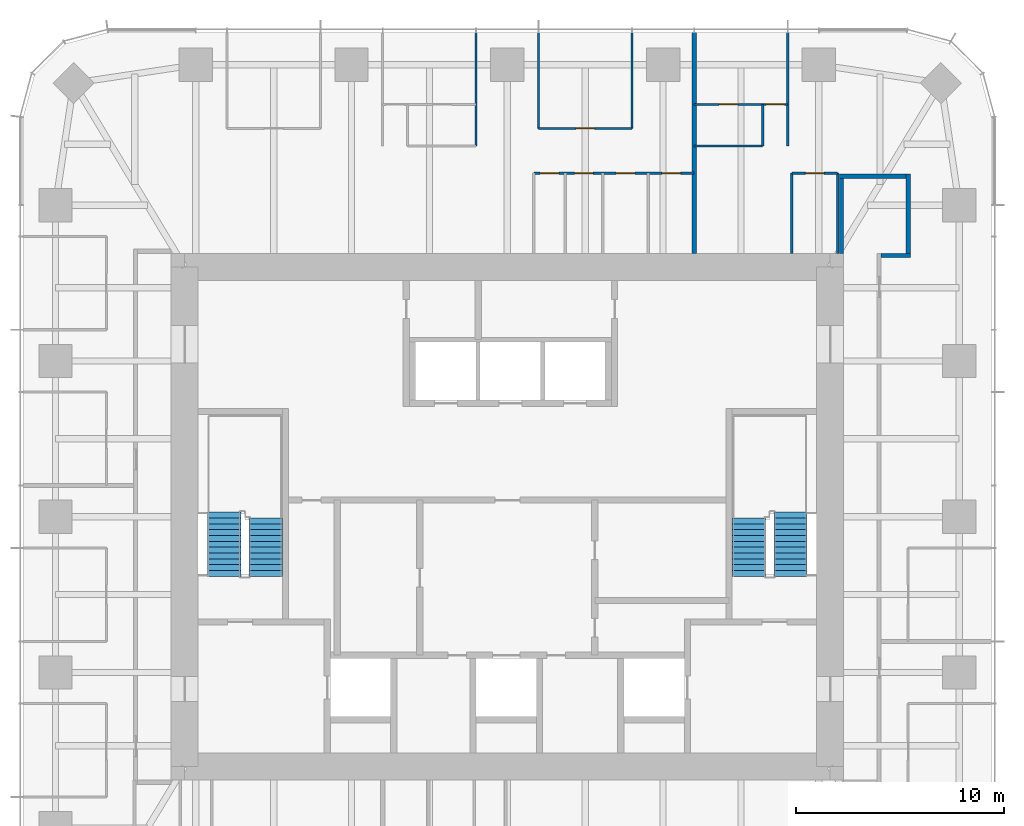
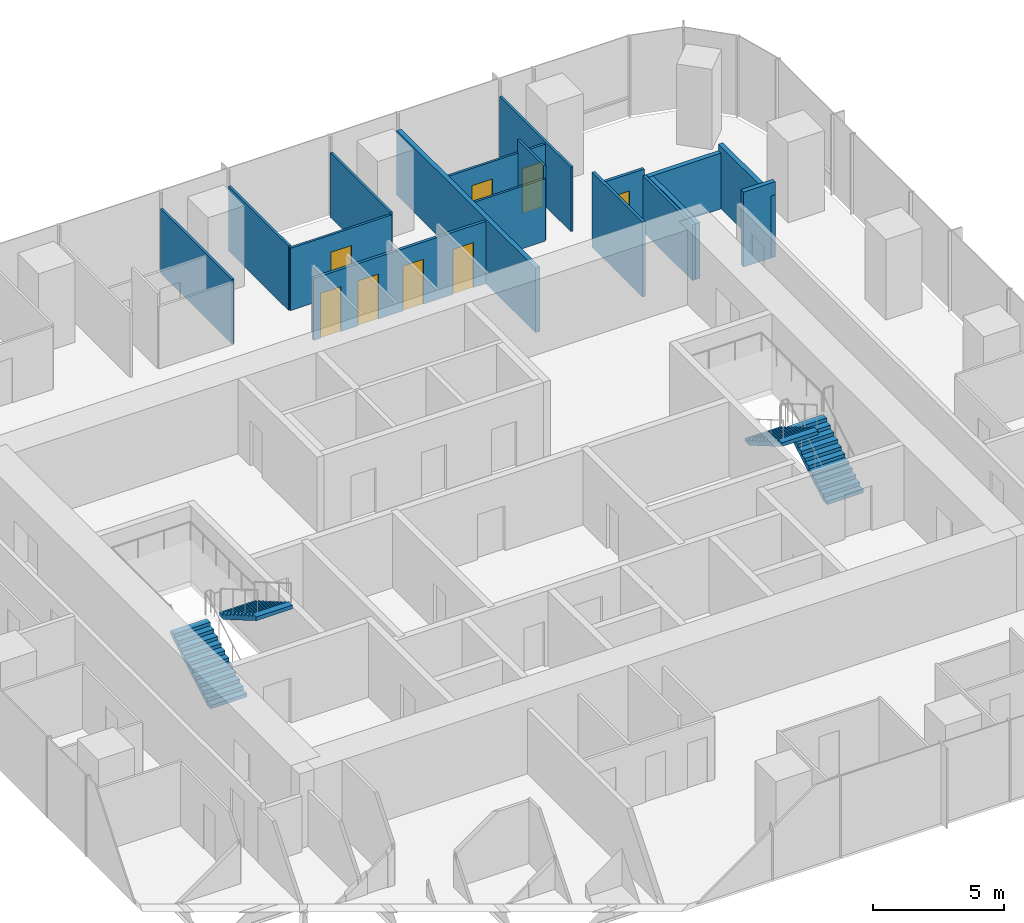
# One storey, part 11 of 12: 17 walls, 8 doors, 4 stair flights, 8 openings, 2 elements without a shape of their own.
"""IFC4 building model written with IfcOpenShell, lengths in metres."""

import ifcopenshell
import ifcopenshell.guid

model = None  # the IFC model being written
_history = None  # IfcOwnerHistory: only IFC2X3 demands one
_inside = {}  # id of a spatial element -> (the spatial element, [elements in it])
_under = {}  # id of a project, library or spatial element -> (it, [spatial elements below it])
_declared = {}  # id of a project -> (the project, [libraries it declares])
_typed = {}  # id of a type object -> (the type object, [elements of that type])
_made_of = {}  # id of a material, layer set ... -> (it, [elements and type objects made of it])


def new_model(schema):
    """Start an empty IFC model of exactly this schema.

    Asked for "IFC4X3", IfcOpenShell would pick the latest addendum, in which some entities
    have other attributes; the version numbers below select the first issue.
    IFC2X3 requires an IfcOwnerHistory on every rooted entity: one is made here for all.
    """
    global model, _history
    if schema == "IFC4X3":
        model = ifcopenshell.file(schema_version=(4, 3, 0, 0))
    else:
        model = ifcopenshell.file(schema=schema)
    _inside.clear()
    _under.clear()
    _declared.clear()
    _typed.clear()
    _made_of.clear()
    _history = None
    if model.schema == "IFC2X3":
        org = make("IfcOrganization", Name="unknown")
        user = make(
            "IfcPersonAndOrganization",
            ThePerson=make("IfcPerson", FamilyName="unknown"),
            TheOrganization=org,
        )
        app = make(
            "IfcApplication",
            ApplicationDeveloper=org,
            Version="unknown",
            ApplicationFullName="unknown",
            ApplicationIdentifier="unknown",
        )
        _history = make(
            "IfcOwnerHistory",
            OwningUser=user,
            OwningApplication=app,
            ChangeAction="ADDED",
            CreationDate=0,
        )
    return model


def make(cls, **values):
    """One entity of the class cls with the attributes given. An attribute that is None is left unset."""
    return model.create_entity(
        cls, **{name: value for name, value in values.items() if value is not None}
    )


def rooted(cls, **values):
    """An entity with a GlobalId (a new one), such as an element, a storey or a relation."""
    return make(cls, GlobalId=ifcopenshell.guid.new(), OwnerHistory=_history, **values)


def si_unit(unit_type, name, prefix=None):
    """IfcSIUnit, for example si_unit("LENGTHUNIT", "METRE", prefix="MILLI")."""
    return make("IfcSIUnit", UnitType=unit_type, Prefix=prefix, Name=name)


def assignment(units):
    """IfcUnitAssignment: the units of a project."""
    return None if units is None else make("IfcUnitAssignment", Units=units)


def point(xyz):
    """IfcCartesianPoint."""
    return None if xyz is None else make("IfcCartesianPoint", Coordinates=xyz)


def direction(xyz):
    """IfcDirection."""
    return None if xyz is None else make("IfcDirection", DirectionRatios=xyz)


def frame(location, z_axis=None, x_axis=None):
    """IfcAxis2Placement3D, a coordinate frame: its origin and axes. An axis left out is left unset."""
    return make(
        "IfcAxis2Placement3D",
        Location=point(location),
        Axis=direction(z_axis),
        RefDirection=direction(x_axis),
    )


def frame_2d(location, x_axis=None):
    """IfcAxis2Placement2D, a coordinate frame in the plane: its origin and x axis."""
    return make(
        "IfcAxis2Placement2D", Location=point(location), RefDirection=direction(x_axis)
    )


def origin():
    """The frame at (0, 0, 0) with its axes left unset."""
    return frame((0.0, 0.0, 0.0))


def place(relative_to, where):
    """IfcLocalPlacement: puts the frame where relative to a parent placement (None: the world)."""
    return make(
        "IfcLocalPlacement", PlacementRelTo=relative_to, RelativePlacement=where
    )


def context(
    kind, dimensions, precision=None, world=None, true_north=None, identifier=None
):
    """IfcGeometricRepresentationContext, for example the 3D "Model" context."""
    return make(
        "IfcGeometricRepresentationContext",
        ContextIdentifier=identifier,
        ContextType=kind,
        CoordinateSpaceDimension=dimensions,
        Precision=precision,
        WorldCoordinateSystem=world,
        TrueNorth=true_north,
    )


def subcontext(parent, identifier, kind, view, scale=None):
    """IfcGeometricRepresentationSubContext, for example "Body" below "Model"."""
    return make(
        "IfcGeometricRepresentationSubContext",
        ContextIdentifier=identifier,
        ContextType=kind,
        ParentContext=parent,
        TargetScale=scale,
        TargetView=view,
    )


def project(units=None, contexts=None):
    """IfcProject with its units and contexts."""
    return rooted(
        "IfcProject",
        Name="project",
        RepresentationContexts=contexts,
        UnitsInContext=assignment(units),
    )


def spatial(cls, under=None, at=None, **own):
    """A site, building, storey or space (cls), placed at a placement, below another one or the project."""
    s = rooted(cls, ObjectPlacement=at, **own)
    if under is not None:
        _under.setdefault(under.id(), (under, []))[1].append(s)
    return s


def polyline(points):
    """IfcPolyline through the points."""
    return make("IfcPolyline", Points=[point(p) for p in points])


def profile(cls, at=None, kind="AREA", **sizes):
    """A parametric profile (cls). Its sizes go by their IFC names, for example OverallWidth=200.0."""
    return make(cls, ProfileType=kind, Position=at, **sizes)


def rectangle(**sizes):
    """IfcRectangleProfileDef."""
    return profile("IfcRectangleProfileDef", **sizes)


def outline(outer, holes=None, kind="AREA"):
    """IfcArbitraryClosedProfileDef: a profile drawn as a closed curve; with holes, ...WithVoids."""
    if holes is None:
        return make("IfcArbitraryClosedProfileDef", ProfileType=kind, OuterCurve=outer)
    return make(
        "IfcArbitraryProfileDefWithVoids",
        ProfileType=kind,
        OuterCurve=outer,
        InnerCurves=holes,
    )


def extrude(swept, where, along, depth):
    """IfcExtrudedAreaSolid: the profile swept, set in the frame where, extruded along a direction by depth."""
    return make(
        "IfcExtrudedAreaSolid",
        SweptArea=swept,
        Position=where,
        ExtrudedDirection=direction(along),
        Depth=depth,
    )


def shape(context_of_items, identifier, shape_type, items):
    """IfcShapeRepresentation: the items that make up one representation, for example the "Body"."""
    return make(
        "IfcShapeRepresentation",
        ContextOfItems=context_of_items,
        RepresentationIdentifier=identifier,
        RepresentationType=shape_type,
        Items=items,
    )


def material(Name=None, Category=None):
    """IfcMaterial."""
    return make("IfcMaterial", Name=Name, Category=Category)


def layer(
    of_material, thickness, ventilated=None, Name=None, Category=None, Priority=None
):
    """IfcMaterialLayer: one layer of a wall or slab, of a material (None: an air gap)."""
    return make(
        "IfcMaterialLayer",
        Material=of_material,
        LayerThickness=thickness,
        IsVentilated=ventilated,
        Name=Name,
        Category=Category,
        Priority=Priority,
    )


def layer_set(layers, Name=None):
    """IfcMaterialLayerSet."""
    return make("IfcMaterialLayerSet", MaterialLayers=layers, LayerSetName=Name)


def made_of(thing, what):
    """Note that an element or type object is made of a material, layer set ...; save() writes the relation."""
    if what is not None:
        _made_of.setdefault(what.id(), (what, []))[1].append(thing)
    return thing


def type_object(cls, material=None, **own):
    """A type object (cls), such as IfcWallType, which elements share."""
    return made_of(rooted(cls, **own), material)


def element(
    cls,
    number,
    at=None,
    inside=None,
    cuts=None,
    type_object=None,
    material=None,
    context=None,
    identifier="Body",
    shape_type=None,
    held_by="IfcProductDefinitionShape",
    body=None,
    shapes=None,
    **own,
):
    """One element of the class cls, such as IfcWall. Its Tag is "e" and its number.

    at: its placement. inside: the storey or other place that contains it. cuts: it is an
    opening in that element (IfcRelVoidsElement). A single representation is given by context,
    identifier, shape_type and body (its items); several are given by shapes. held_by: the class
    of the entity that holds the representations. save() writes the other relations.
    """
    e = rooted(cls, Tag="e%d" % number, ObjectPlacement=at, **own)
    if body is not None:
        shapes = [shape(context, identifier, shape_type, body)]
    if shapes is not None:
        e.Representation = make(held_by, Representations=shapes)
    if inside is not None:
        _inside.setdefault(inside.id(), (inside, []))[1].append(e)
    if cuts is not None:
        rooted(
            "IfcRelVoidsElement", RelatingBuildingElement=cuts, RelatedOpeningElement=e
        )
    if type_object is not None:
        _typed.setdefault(type_object.id(), (type_object, []))[1].append(e)
    return made_of(e, material)


def fill(opening, filler):
    """IfcRelFillsElement: the door or window that sits in an opening."""
    return rooted(
        "IfcRelFillsElement",
        RelatingOpeningElement=opening,
        RelatedBuildingElement=filler,
    )


def aggregate(whole, parts):
    """IfcRelAggregates: a whole, such as a stair, and the parts it consists of."""
    return rooted("IfcRelAggregates", RelatingObject=whole, RelatedObjects=parts)


def save(model, path):
    """Write the relations noted so far, then the file.

    IfcRelAggregates (storeys below a building ...), IfcRelContainedInSpatialStructure (elements
    in a storey), IfcRelDefinesByType, IfcRelAssociatesMaterial and IfcRelDeclares: one each for
    every whole, place, type object, material and project.
    """
    for whole, parts in _under.values():
        aggregate(whole, parts)
    for where, things in _inside.values():
        rooted(
            "IfcRelContainedInSpatialStructure",
            RelatedElements=things,
            RelatingStructure=where,
        )
    for kind, things in _typed.values():
        rooted("IfcRelDefinesByType", RelatedObjects=things, RelatingType=kind)
    for what, things in _made_of.values():
        rooted("IfcRelAssociatesMaterial", RelatedObjects=things, RelatingMaterial=what)
    for by, libraries in _declared.values():
        rooted("IfcRelDeclares", RelatingContext=by, RelatedDefinitions=libraries)
    model.write(path)


model = new_model("IFC4")

# Units and contexts
model_context = context("Model", 3, precision=1e-05, world=origin(), true_north=direction((0.0, 1.0)))
body_context = subcontext(model_context, "Body", "Model", "MODEL_VIEW")
ifc_project = project(units=[si_unit("LENGTHUNIT", "METRE"), si_unit("AREAUNIT", "SQUARE_METRE"), si_unit("VOLUMEUNIT", "CUBIC_METRE"), si_unit("PLANEANGLEUNIT", "RADIAN"), si_unit("MASSUNIT", "GRAM", prefix="KILO")], contexts=[model_context])

# Site, building, storey
site_placement = place(None, origin())
site = spatial("IfcSite", under=ifc_project, at=site_placement, CompositionType="ELEMENT")
building_placement = place(site_placement, origin())
building = spatial("IfcBuilding", under=site, at=building_placement, Name="Khuree Lantern Residences", CompositionType="ELEMENT")
storey_placement = place(building_placement, frame((0.0, 0.0, 319.5)))
storey = spatial("IfcBuildingStorey", under=building, at=storey_placement, Name="L80", CompositionType="ELEMENT", Elevation=319.5)

# Wall, opening, door
ifc_material_1 = material(Name="Moisture-resistant gypsum board on steel studs", Category="steel")
ifc_layer_1 = layer(ifc_material_1, 0.125)
ifc_layer_set_1 = layer_set([ifc_layer_1], Name="BATHROOM WALL BTW125")
wall_type_1 = type_object("IfcWallType", Name="BATHROOM WALL BTW125", PredefinedType="PARTITIONING", material=ifc_layer_set_1)
wall_1_placement = place(storey_placement, frame((15.866455078125, 16.496337890625, 0.0), z_axis=(0.0, 0.0, 1.0), x_axis=(-1.0, 0.0, 0.0)))
wall_1 = element("IfcWall", 1, at=wall_1_placement, inside=storey, type_object=wall_type_1, Name="L80 BATHROOM WALL 01", PredefinedType="PARTITIONING", context=body_context, shape_type="SweptSolid", body=[
    extrude(rectangle(XDim=2.199951171875, YDim=0.125, at=frame_2d((1.10009765625, 0.0))), origin(), (0.0, 0.0, 1.0), 2.89990234375),
])
opening_1_placement = place(wall_1_placement, frame((0.64990234375, 0.0, 0.0)))
opening_1 = element("IfcOpeningElement", 2, at=opening_1_placement, cuts=wall_1, Name="Opening 80-025", PredefinedType="OPENING", context=body_context, shape_type="SweptSolid", body=[
    extrude(rectangle(XDim=0.89990234375, YDim=2.10009765625, at=frame_2d((0.449951171875, 1.050048828125))), frame((0.0, 0.072509765625, 0.0), z_axis=(0.0, -1.0, 0.0), x_axis=(1.0, 0.0, 0.0)), (0.0, 0.0, 1.0), 0.14501953125),
])
ifc_material_2 = material(Name="Timber door leaf in hardwood frame", Category="wood")
door_type_1 = type_object("IfcDoorType", Name="BATHROOM DOOR 900X2100", OperationType="SINGLE_SWING_LEFT", PredefinedType="DOOR", material=ifc_material_2)
door_1_placement = place(opening_1_placement, origin())
door_1 = element("IfcDoor", 3, at=door_1_placement, inside=storey, type_object=door_type_1, Name="Bathroom door 80-025", OperationType="SINGLE_SWING_LEFT", OverallHeight=2.10009765625, OverallWidth=0.89990234375, PredefinedType="DOOR", context=body_context, shape_type="SweptSolid", body=[
    extrude(rectangle(XDim=0.89990234375, YDim=2.10009765625, at=frame_2d((0.449951171875, 1.050048828125))), frame((0.0, 0.02490234375, 0.0), z_axis=(0.0, -1.0, 0.0), x_axis=(1.0, 0.0, 0.0)), (0.0, 0.0, 1.0), 0.050048828125),
])
fill(opening_1, door_1)

# Walls
wall_2_placement = place(storey_placement, frame((15.866455078125, 12.64990234375, 0.0), z_axis=(0.0, 0.0, 1.0), x_axis=(0.0, 1.0, 0.0)))
element("IfcWall", 4, at=wall_2_placement, inside=storey, type_object=wall_type_1, Name="L80 BATHROOM WALL 01", PredefinedType="PARTITIONING", context=body_context, shape_type="SweptSolid", body=[
    extrude(rectangle(XDim=3.846435546875, YDim=0.125, at=frame_2d((1.92333984375, 0.0))), origin(), (0.0, 0.0, 1.0), 2.60009765625),
])
wall_3_placement = place(storey_placement, frame((13.66650390625, 12.64990234375, 0.0), z_axis=(0.0, 0.0, 1.0), x_axis=(0.0, 1.0, 0.0)))
element("IfcWall", 5, at=wall_3_placement, inside=storey, type_object=wall_type_1, Name="L80 BATHROOM WALL 01", PredefinedType="PARTITIONING", context=body_context, shape_type="SweptSolid", body=[
    extrude(rectangle(XDim=3.846435546875, YDim=0.125, at=frame_2d((1.92333984375, 0.0))), origin(), (0.0, 0.0, 1.0), 3.5),
])

# Wall, openings, doors
wall_4_placement = place(storey_placement, frame((8.97607421875, 16.496337890625, 0.0), z_axis=(0.0, 0.0, 1.0), x_axis=(-1.0, 0.0, 0.0)))
wall_4 = element("IfcWall", 6, at=wall_4_placement, inside=storey, type_object=wall_type_1, Name="L80 BATHROOM WALL 02", PredefinedType="PARTITIONING", context=body_context, shape_type="SweptSolid", body=[
    extrude(rectangle(XDim=7.7001953125, YDim=0.125, at=frame_2d((3.85009765625, 0.0))), origin(), (0.0, 0.0, 1.0), 2.89990234375),
])
opening_2_placement = place(wall_4_placement, frame((0.64990234375, 0.0, 0.0)))
opening_2 = element("IfcOpeningElement", 7, at=opening_2_placement, cuts=wall_4, Name="Opening 80-033", PredefinedType="OPENING", context=body_context, shape_type="SweptSolid", body=[
    extrude(rectangle(XDim=0.89990234375, YDim=2.10009765625, at=frame_2d((0.449951171875, 1.050048828125))), frame((0.0, 0.072509765625, 0.0), z_axis=(0.0, -1.0, 0.0), x_axis=(1.0, 0.0, 0.0)), (0.0, 0.0, 1.0), 0.14501953125),
])
opening_3_placement = place(wall_4_placement, frame((2.85009765625, 0.0, 0.0)))
opening_3 = element("IfcOpeningElement", 8, at=opening_3_placement, cuts=wall_4, Name="Opening 80-034", PredefinedType="OPENING", context=body_context, shape_type="SweptSolid", body=[
    extrude(rectangle(XDim=0.89990234375, YDim=2.10009765625, at=frame_2d((0.449951171875, 1.050048828125))), frame((0.0, 0.072509765625, 0.0), z_axis=(0.0, -1.0, 0.0), x_axis=(1.0, 0.0, 0.0)), (0.0, 0.0, 1.0), 0.14501953125),
])
opening_4_placement = place(wall_4_placement, frame((4.85009765625, 0.0, 0.0)))
opening_4 = element("IfcOpeningElement", 9, at=opening_4_placement, cuts=wall_4, Name="Opening 80-035", PredefinedType="OPENING", context=body_context, shape_type="SweptSolid", body=[
    extrude(rectangle(XDim=0.89990234375, YDim=2.10009765625, at=frame_2d((0.449951171875, 1.050048828125))), frame((0.0, 0.072509765625, 0.0), z_axis=(0.0, -1.0, 0.0), x_axis=(1.0, 0.0, 0.0)), (0.0, 0.0, 1.0), 0.14501953125),
])
opening_5_placement = place(wall_4_placement, frame((6.5, 0.0, 0.0)))
opening_5 = element("IfcOpeningElement", 10, at=opening_5_placement, cuts=wall_4, Name="Opening 80-036", PredefinedType="OPENING", context=body_context, shape_type="SweptSolid", body=[
    extrude(rectangle(XDim=0.89990234375, YDim=2.10009765625, at=frame_2d((0.449951171875, 1.050048828125))), frame((0.0, 0.072509765625, 0.0), z_axis=(0.0, -1.0, 0.0), x_axis=(1.0, 0.0, 0.0)), (0.0, 0.0, 1.0), 0.14501953125),
])
door_2_placement = place(opening_2_placement, origin())
door_2 = element("IfcDoor", 11, at=door_2_placement, inside=storey, type_object=door_type_1, Name="Bathroom door 80-033", OperationType="SINGLE_SWING_LEFT", OverallHeight=2.10009765625, OverallWidth=0.89990234375, PredefinedType="DOOR", context=body_context, shape_type="SweptSolid", body=[
    extrude(rectangle(XDim=0.89990234375, YDim=2.10009765625, at=frame_2d((0.449951171875, 1.050048828125))), frame((0.0, 0.02490234375, 0.0), z_axis=(0.0, -1.0, 0.0), x_axis=(1.0, 0.0, 0.0)), (0.0, 0.0, 1.0), 0.050048828125),
])
fill(opening_2, door_2)
door_3_placement = place(opening_3_placement, origin())
door_3 = element("IfcDoor", 12, at=door_3_placement, inside=storey, type_object=door_type_1, Name="Bathroom door 80-034", OperationType="SINGLE_SWING_LEFT", OverallHeight=2.10009765625, OverallWidth=0.89990234375, PredefinedType="DOOR", context=body_context, shape_type="SweptSolid", body=[
    extrude(rectangle(XDim=0.89990234375, YDim=2.10009765625, at=frame_2d((0.449951171875, 1.050048828125))), frame((0.0, 0.02490234375, 0.0), z_axis=(0.0, -1.0, 0.0), x_axis=(1.0, 0.0, 0.0)), (0.0, 0.0, 1.0), 0.050048828125),
])
fill(opening_3, door_3)
door_type_2 = type_object("IfcDoorType", Name="DOOR 900X2100", OperationType="SINGLE_SWING_LEFT", PredefinedType="DOOR", material=ifc_material_2)
door_4_placement = place(opening_4_placement, origin())
door_4 = element("IfcDoor", 13, at=door_4_placement, inside=storey, type_object=door_type_2, Name="Store door 80-035", OperationType="SINGLE_SWING_LEFT", OverallHeight=2.10009765625, OverallWidth=0.89990234375, PredefinedType="DOOR", context=body_context, shape_type="SweptSolid", body=[
    extrude(rectangle(XDim=0.89990234375, YDim=2.10009765625, at=frame_2d((0.449951171875, 1.050048828125))), frame((0.0, 0.02490234375, 0.0), z_axis=(0.0, -1.0, 0.0), x_axis=(1.0, 0.0, 0.0)), (0.0, 0.0, 1.0), 0.050048828125),
])
fill(opening_4, door_4)
door_type_3 = type_object("IfcDoorType", Name="WC DOOR 900X2100", OperationType="SINGLE_SWING_LEFT", PredefinedType="DOOR", material=ifc_material_2)
door_5_placement = place(opening_5_placement, origin())
door_5 = element("IfcDoor", 14, at=door_5_placement, inside=storey, type_object=door_type_3, Name="WC door 80-036", OperationType="SINGLE_SWING_LEFT", OverallHeight=2.10009765625, OverallWidth=0.89990234375, PredefinedType="DOOR", context=body_context, shape_type="SweptSolid", body=[
    extrude(rectangle(XDim=0.89990234375, YDim=2.10009765625, at=frame_2d((0.449951171875, 1.050048828125))), frame((0.0, 0.02490234375, 0.0), z_axis=(0.0, -1.0, 0.0), x_axis=(1.0, 0.0, 0.0)), (0.0, 0.0, 1.0), 0.050048828125),
])
fill(opening_5, door_5)

# Walls
ifc_material_3 = material(Name="Gypsum board on steel studs", Category="steel")
ifc_layer_2 = layer(ifc_material_3, 0.199951171875)
ifc_layer_set_2 = layer_set([ifc_layer_2], Name="CORRIDOR WALL CRW200 EI 60")
wall_type_2 = type_object("IfcWallType", Name="CORRIDOR WALL CRW200 EI 60", PredefinedType="PARTITIONING", material=ifc_layer_set_2)
wall_5_placement = place(storey_placement, frame((17.949951171875, 12.550048828125, 0.0), z_axis=(0.0, 0.0, 1.0), x_axis=(1.0, 0.0, 0.0)))
element("IfcWall", 15, at=wall_5_placement, inside=storey, type_object=wall_type_2, Name="L80 RESIDENTS LOUNGE WALL", PredefinedType="PARTITIONING", context=body_context, shape_type="SweptSolid", body=[
    extrude(rectangle(XDim=1.400146484375, YDim=0.199951171875, at=frame_2d((0.7001953125, 0.0))), origin(), (0.0, 0.0, 1.0), 3.5),
])
wall_6_placement = place(storey_placement, frame((19.25, 12.449951171875, 0.0), z_axis=(0.0, 0.0, 1.0), x_axis=(0.0, 1.0, 0.0)))
element("IfcWall", 16, at=wall_6_placement, inside=storey, type_object=wall_type_2, Name="L80 RESIDENTS LOUNGE WALL", PredefinedType="PARTITIONING", context=body_context, shape_type="SweptSolid", body=[
    extrude(rectangle(XDim=4.0, YDim=0.199951171875, at=frame_2d((2.0, 0.0))), origin(), (0.0, 0.0, 1.0), 2.89990234375),
])
wall_7_placement = place(storey_placement, frame((19.14990234375, 16.35009765625, 0.0), z_axis=(0.0, 0.0, 1.0), x_axis=(-1.0, 0.0, 0.0)))
element("IfcWall", 17, at=wall_7_placement, inside=storey, type_object=wall_type_2, Name="L80 RESIDENTS LOUNGE WALL", PredefinedType="PARTITIONING", context=body_context, shape_type="SweptSolid", body=[
    extrude(rectangle(XDim=3.199951171875, YDim=0.199951171875, at=frame_2d((1.60009765625, 0.0))), origin(), (0.0, 0.0, 1.0), 2.60009765625),
])
wall_8_placement = place(storey_placement, frame((16.050048828125, 16.449951171875, 0.0), z_axis=(0.0, 0.0, 1.0), x_axis=(0.0, -1.0, 0.0)))
element("IfcWall", 18, at=wall_8_placement, inside=storey, type_object=wall_type_2, Name="L80 RESIDENTS LOUNGE WALL", PredefinedType="PARTITIONING", context=body_context, shape_type="SweptSolid", body=[
    extrude(rectangle(XDim=3.800048828125, YDim=0.199951171875, at=frame_2d((1.89990234375, 0.0))), origin(), (0.0, 0.0, 1.0), 2.60009765625),
])
ifc_layer_3 = layer(ifc_material_3, 0.199951171875)
ifc_layer_set_3 = layer_set([ifc_layer_3], Name="DEMISING WALL DMW200 EI 90")
wall_type_3 = type_object("IfcWallType", Name="DEMISING WALL DMW200 EI 90", PredefinedType="PARTITIONING", material=ifc_layer_set_3)
wall_9_placement = place(storey_placement, frame((8.97607421875, 12.64990234375, 0.0), z_axis=(0.0, 0.0, 1.0), x_axis=(0.0, 1.0, 0.0)))
element("IfcWall", 19, at=wall_9_placement, inside=storey, type_object=wall_type_3, Name="L80 DEMISING WALL 02", PredefinedType="PARTITIONING", context=body_context, shape_type="SweptSolid", body=[
    extrude(rectangle(XDim=10.60009765625, YDim=0.199951171875, at=frame_2d((5.300048828125, 0.0))), origin(), (0.0, 0.0, 1.0), 3.010009765625),
])
ifc_layer_4 = layer(ifc_material_3, 0.10009765625)
ifc_layer_set_4 = layer_set([ifc_layer_4], Name="PARTITION PT100")
wall_type_4 = type_object("IfcWallType", Name="PARTITION PT100", PredefinedType="PARTITIONING", material=ifc_layer_set_4)
wall_10_placement = place(storey_placement, frame((13.464111328125, 17.79638671875, 0.0), z_axis=(0.0, 0.0, 1.0), x_axis=(0.0, 1.0, 0.0)))
element("IfcWall", 20, at=wall_10_placement, inside=storey, type_object=wall_type_4, Name="L80 PARTITION 01", PredefinedType="PARTITIONING", context=body_context, shape_type="SweptSolid", body=[
    extrude(rectangle(XDim=5.45361328125, YDim=0.10009765625, at=frame_2d((2.726806640625, 0.0))), origin(), (0.0, 0.0, 1.0), 3.010009765625),
])
for number, where, z_axis, x_axis, name in (
    (21, (5.98388671875, 18.64990234375, 0.0), (0.0, 0.0, 1.0), (0.0, 1.0, 0.0), "L80 PARTITION 02"),
    (22, (1.49609375, 18.64990234375, 0.0), (0.0, 0.0, 1.0), (0.0, 1.0, 0.0), "L80 PARTITION 02"),
):
    element("IfcWall", number, at=place(storey_placement, frame(where, z_axis=z_axis, x_axis=x_axis)), inside=storey, type_object=wall_type_4, Name=name, PredefinedType="PARTITIONING", context=body_context, shape_type="SweptSolid", body=[
        extrude(rectangle(XDim=4.60009765625, YDim=0.10009765625, at=frame_2d((2.300048828125, 0.0))), origin(), (0.0, 0.0, 1.0), 3.010009765625),
    ])
wall_11_placement = place(storey_placement, frame((-1.49609375, 17.79638671875, 0.0), z_axis=(0.0, 0.0, 1.0), x_axis=(0.0, 1.0, 0.0)))
element("IfcWall", 23, at=wall_11_placement, inside=storey, type_object=wall_type_4, Name="L80 PARTITION 02", PredefinedType="PARTITIONING", context=body_context, shape_type="SweptSolid", body=[
    extrude(rectangle(XDim=5.45361328125, YDim=0.10009765625, at=frame_2d((2.726806640625, 0.0))), origin(), (0.0, 0.0, 1.0), 3.010009765625),
])

# Wall, openings, doors
wall_12_placement = place(storey_placement, frame((13.464111328125, 19.79638671875, 0.0), z_axis=(0.0, 0.0, 1.0), x_axis=(-1.0, 0.0, 0.0)))
wall_12 = element("IfcWall", 24, at=wall_12_placement, inside=storey, type_object=wall_type_4, Name="L80 PARTITION 01", PredefinedType="PARTITIONING", context=body_context, shape_type="SweptSolid", body=[
    extrude(rectangle(XDim=4.488037109375, YDim=0.10009765625, at=frame_2d((2.244140625, 0.0))), origin(), (0.0, 0.0, 1.0), 2.909912109375),
])
opening_6_placement = place(wall_12_placement, frame((0.14990234375, 0.0, 0.0)))
opening_6 = element("IfcOpeningElement", 25, at=opening_6_placement, cuts=wall_12, Name="Opening 80-023", PredefinedType="OPENING", context=body_context, shape_type="SweptSolid", body=[
    extrude(rectangle(XDim=0.89990234375, YDim=2.10009765625, at=frame_2d((0.449951171875, 1.050048828125))), frame((0.0, 0.06005859375, 0.0), z_axis=(0.0, -1.0, 0.0), x_axis=(1.0, 0.0, 0.0)), (0.0, 0.0, 1.0), 0.1201171875),
])
opening_7_placement = place(wall_12_placement, frame((2.39404296875, 0.0, 0.0)))
opening_7 = element("IfcOpeningElement", 26, at=opening_7_placement, cuts=wall_12, Name="Opening 80-024", PredefinedType="OPENING", context=body_context, shape_type="SweptSolid", body=[
    extrude(rectangle(XDim=0.89990234375, YDim=2.10009765625, at=frame_2d((0.449951171875, 1.050048828125))), frame((0.0, 0.06005859375, 0.0), z_axis=(0.0, -1.0, 0.0), x_axis=(1.0, 0.0, 0.0)), (0.0, 0.0, 1.0), 0.1201171875),
])
door_type_4 = type_object("IfcDoorType", Name="BEDROOM DOOR 900X2100", OperationType="SINGLE_SWING_LEFT", PredefinedType="DOOR", material=ifc_material_2)
door_6_placement = place(opening_6_placement, origin())
door_6 = element("IfcDoor", 27, at=door_6_placement, inside=storey, type_object=door_type_4, Name="Bedroom door 80-023", OperationType="SINGLE_SWING_LEFT", OverallHeight=2.10009765625, OverallWidth=0.89990234375, PredefinedType="DOOR", context=body_context, shape_type="SweptSolid", body=[
    extrude(rectangle(XDim=0.89990234375, YDim=2.10009765625, at=frame_2d((0.449951171875, 1.050048828125))), frame((0.0, 0.02490234375, 0.0), z_axis=(0.0, -1.0, 0.0), x_axis=(1.0, 0.0, 0.0)), (0.0, 0.0, 1.0), 0.050048828125),
])
fill(opening_6, door_6)
door_type_5 = type_object("IfcDoorType", Name="DOOR 900X2100 RIGHT HAND", OperationType="SINGLE_SWING_RIGHT", PredefinedType="DOOR", material=ifc_material_2)
door_7_placement = place(opening_7_placement, origin())
door_7 = element("IfcDoor", 28, at=door_7_placement, inside=storey, type_object=door_type_5, Name="Wardrobe door 80-024", OperationType="SINGLE_SWING_RIGHT", OverallHeight=2.10009765625, OverallWidth=0.89990234375, PredefinedType="DOOR", context=body_context, shape_type="SweptSolid", body=[
    extrude(rectangle(XDim=0.89990234375, YDim=2.10009765625, at=frame_2d((0.449951171875, 1.050048828125))), frame((0.0, 0.02490234375, 0.0), z_axis=(0.0, -1.0, 0.0), x_axis=(1.0, 0.0, 0.0)), (0.0, 0.0, 1.0), 0.050048828125),
])
fill(opening_7, door_7)

# Walls
wall_13_placement = place(storey_placement, frame((12.263916015625, 17.79638671875, 0.0), z_axis=(0.0, 0.0, 1.0), x_axis=(0.0, 1.0, 0.0)))
element("IfcWall", 29, at=wall_13_placement, inside=storey, type_object=wall_type_4, Name="L80 PARTITION 01", PredefinedType="PARTITIONING", context=body_context, shape_type="SweptSolid", body=[
    extrude(rectangle(XDim=2.0, YDim=0.10009765625, at=frame_2d((1.0, 0.0))), origin(), (0.0, 0.0, 1.0), 3.5),
])
wall_14_placement = place(storey_placement, frame((12.263916015625, 17.79638671875, 0.0), z_axis=(0.0, 0.0, 1.0), x_axis=(-1.0, 0.0, 0.0)))
element("IfcWall", 30, at=wall_14_placement, inside=storey, type_object=wall_type_4, Name="L80 PARTITION 01", PredefinedType="PARTITIONING", context=body_context, shape_type="SweptSolid", body=[
    extrude(rectangle(XDim=3.287841796875, YDim=0.10009765625, at=frame_2d((1.64404296875, 0.0))), origin(), (0.0, 0.0, 1.0), 2.909912109375),
])

# Wall, opening, door
wall_15_placement = place(storey_placement, frame((5.98388671875, 18.64990234375, 0.0), z_axis=(0.0, 0.0, 1.0), x_axis=(-1.0, 0.0, 0.0)))
wall_15 = element("IfcWall", 31, at=wall_15_placement, inside=storey, type_object=wall_type_4, Name="L80 PARTITION 02", PredefinedType="PARTITIONING", context=body_context, shape_type="SweptSolid", body=[
    extrude(rectangle(XDim=4.48779296875, YDim=0.10009765625, at=frame_2d((2.243896484375, 0.0))), origin(), (0.0, 0.0, 1.0), 2.909912109375),
])
opening_8_placement = place(wall_15_placement, frame((1.7939453125, 0.0, 0.0)))
opening_8 = element("IfcOpeningElement", 32, at=opening_8_placement, cuts=wall_15, Name="Opening 80-027", PredefinedType="OPENING", context=body_context, shape_type="SweptSolid", body=[
    extrude(rectangle(XDim=0.89990234375, YDim=2.10009765625, at=frame_2d((0.449951171875, 1.050048828125))), frame((0.0, 0.06005859375, 0.0), z_axis=(0.0, -1.0, 0.0), x_axis=(1.0, 0.0, 0.0)), (0.0, 0.0, 1.0), 0.1201171875),
])
door_8_placement = place(opening_8_placement, origin())
door_8 = element("IfcDoor", 33, at=door_8_placement, inside=storey, type_object=door_type_4, Name="Bedroom door 80-027", OperationType="SINGLE_SWING_LEFT", OverallHeight=2.10009765625, OverallWidth=0.89990234375, PredefinedType="DOOR", context=body_context, shape_type="SweptSolid", body=[
    extrude(rectangle(XDim=0.89990234375, YDim=2.10009765625, at=frame_2d((0.449951171875, 1.050048828125))), frame((0.0, 0.02490234375, 0.0), z_axis=(0.0, -1.0, 0.0), x_axis=(1.0, 0.0, 0.0)), (0.0, 0.0, 1.0), 0.050048828125),
])
fill(opening_8, door_8)

# Stair, stair flights
ifc_material_4 = material(Name="Concrete C40/50", Category="concrete")
stair_type = type_object("IfcStairType", Name="STAIR ST1 HALF TURN 3600", PredefinedType="HALF_TURN_STAIR", material=ifc_material_4)
stair_1_placement = place(storey_placement, origin())
stair_1 = element("IfcStair", 34, at=stair_1_placement, inside=storey, type_object=stair_type, Name="Stair ST1", PredefinedType="HALF_TURN_STAIR")
stair_flight_type = type_object("IfcStairFlightType", Name="STAIR FLIGHT SF1 1600", PredefinedType="STRAIGHT", material=ifc_material_4)
stair_flight_1_placement = place(storey_placement, frame((-13.60009765625, -2.860107421875, 0.0), z_axis=(0.0, 0.0, 1.0), x_axis=(0.0, 1.0, 0.0)))
stair_flight_1 = element("IfcStairFlight", 35, at=stair_flight_1_placement, type_object=stair_flight_type, Name="ST1 flight 1", NumberOfRisers=12, NumberOfTreads=11, PredefinedType="STRAIGHT", RiserHeight=0.163043478, TreadLength=0.28, context=body_context, shape_type="SweptSolid", body=[
    extrude(outline(polyline([(0.0, 0.0), (0.0, 0.1630859375), (0.280029296875, 0.1630859375), (0.280029296875, 0.326171875), (0.56005859375, 0.326171875), (0.56005859375, 0.489013671875), (0.840087890625, 0.489013671875), (0.840087890625, 0.652099609375), (1.1201171875, 0.652099609375), (1.1201171875, 0.815185546875), (1.39990234375, 0.815185546875), (1.39990234375, 0.978271484375), (1.679931640625, 0.978271484375), (1.679931640625, 1.141357421875), (1.9599609375, 1.141357421875), (1.9599609375, 1.304443359375), (2.239990234375, 1.304443359375), (2.239990234375, 1.46728515625), (2.52001953125, 1.46728515625), (2.52001953125, 1.63037109375), (2.800048828125, 1.63037109375), (2.800048828125, 1.79345703125), (3.080078125, 1.79345703125), (3.080078125, 1.95654296875), (3.080078125, 1.6201171875), (0.2978515625, 0.0), (0.0, 0.0)])), frame((0.0, 0.800048828125, 0.0), z_axis=(0.0, -1.0, 0.0), x_axis=(1.0, 0.0, 0.0)), (0.0, 0.0, 1.0), 1.60009765625),
])
stair_flight_2_placement = place(storey_placement, frame((-11.60009765625, -0.06005859375, 1.95654296875), z_axis=(0.0, 0.0, 1.0), x_axis=(0.0, -1.0, 0.0)))
stair_flight_2 = element("IfcStairFlight", 36, at=stair_flight_2_placement, type_object=stair_flight_type, Name="ST1 flight 2", NumberOfRisers=11, NumberOfTreads=10, PredefinedType="STRAIGHT", RiserHeight=0.163043478, TreadLength=0.28, context=body_context, shape_type="SweptSolid", body=[
    extrude(outline(polyline([(0.0, 0.0), (0.0, 0.1630859375), (0.280029296875, 0.1630859375), (0.280029296875, 0.326171875), (0.56005859375, 0.326171875), (0.56005859375, 0.489013671875), (0.840087890625, 0.489013671875), (0.840087890625, 0.652099609375), (1.1201171875, 0.652099609375), (1.1201171875, 0.815185546875), (1.39990234375, 0.815185546875), (1.39990234375, 0.978271484375), (1.679931640625, 0.978271484375), (1.679931640625, 1.141357421875), (1.9599609375, 1.141357421875), (1.9599609375, 1.304443359375), (2.239990234375, 1.304443359375), (2.239990234375, 1.46728515625), (2.52001953125, 1.46728515625), (2.52001953125, 1.63037109375), (2.800048828125, 1.63037109375), (2.800048828125, 1.79345703125), (2.800048828125, 1.45703125), (0.2978515625, 0.0), (0.0, 0.0)])), frame((0.0, 0.800048828125, 0.0), z_axis=(0.0, -1.0, 0.0), x_axis=(1.0, 0.0, 0.0)), (0.0, 0.0, 1.0), 1.60009765625),
])
aggregate(stair_1, [stair_flight_1, stair_flight_2])

stair_2_placement = place(storey_placement, origin())
stair_2 = element("IfcStair", 37, at=stair_2_placement, inside=storey, type_object=stair_type, Name="Stair ST2", PredefinedType="HALF_TURN_STAIR")
stair_flight_3_placement = place(storey_placement, frame((13.60009765625, -2.860107421875, 0.0), z_axis=(0.0, 0.0, 1.0), x_axis=(0.0, 1.0, 0.0)))
stair_flight_3 = element("IfcStairFlight", 38, at=stair_flight_3_placement, type_object=stair_flight_type, Name="ST2 flight 1", NumberOfRisers=12, NumberOfTreads=11, PredefinedType="STRAIGHT", RiserHeight=0.163043478, TreadLength=0.28, context=body_context, shape_type="SweptSolid", body=[
    extrude(outline(polyline([(0.0, 0.0), (0.0, 0.1630859375), (0.280029296875, 0.1630859375), (0.280029296875, 0.326171875), (0.56005859375, 0.326171875), (0.56005859375, 0.489013671875), (0.840087890625, 0.489013671875), (0.840087890625, 0.652099609375), (1.1201171875, 0.652099609375), (1.1201171875, 0.815185546875), (1.39990234375, 0.815185546875), (1.39990234375, 0.978271484375), (1.679931640625, 0.978271484375), (1.679931640625, 1.141357421875), (1.9599609375, 1.141357421875), (1.9599609375, 1.304443359375), (2.239990234375, 1.304443359375), (2.239990234375, 1.46728515625), (2.52001953125, 1.46728515625), (2.52001953125, 1.63037109375), (2.800048828125, 1.63037109375), (2.800048828125, 1.79345703125), (3.080078125, 1.79345703125), (3.080078125, 1.95654296875), (3.080078125, 1.6201171875), (0.2978515625, 0.0), (0.0, 0.0)])), frame((0.0, 0.800048828125, 0.0), z_axis=(0.0, -1.0, 0.0), x_axis=(1.0, 0.0, 0.0)), (0.0, 0.0, 1.0), 1.60009765625),
])
stair_flight_4_placement = place(storey_placement, frame((11.60009765625, -0.06005859375, 1.95654296875), z_axis=(0.0, 0.0, 1.0), x_axis=(0.0, -1.0, 0.0)))
stair_flight_4 = element("IfcStairFlight", 39, at=stair_flight_4_placement, type_object=stair_flight_type, Name="ST2 flight 2", NumberOfRisers=11, NumberOfTreads=10, PredefinedType="STRAIGHT", RiserHeight=0.163043478, TreadLength=0.28, context=body_context, shape_type="SweptSolid", body=[
    extrude(outline(polyline([(0.0, 0.0), (0.0, 0.1630859375), (0.280029296875, 0.1630859375), (0.280029296875, 0.326171875), (0.56005859375, 0.326171875), (0.56005859375, 0.489013671875), (0.840087890625, 0.489013671875), (0.840087890625, 0.652099609375), (1.1201171875, 0.652099609375), (1.1201171875, 0.815185546875), (1.39990234375, 0.815185546875), (1.39990234375, 0.978271484375), (1.679931640625, 0.978271484375), (1.679931640625, 1.141357421875), (1.9599609375, 1.141357421875), (1.9599609375, 1.304443359375), (2.239990234375, 1.304443359375), (2.239990234375, 1.46728515625), (2.52001953125, 1.46728515625), (2.52001953125, 1.63037109375), (2.800048828125, 1.63037109375), (2.800048828125, 1.79345703125), (2.800048828125, 1.45703125), (0.2978515625, 0.0), (0.0, 0.0)])), frame((0.0, 0.800048828125, 0.0), z_axis=(0.0, -1.0, 0.0), x_axis=(1.0, 0.0, 0.0)), (0.0, 0.0, 1.0), 1.60009765625),
])
aggregate(stair_2, [stair_flight_3, stair_flight_4])

save(model, "model.ifc")
